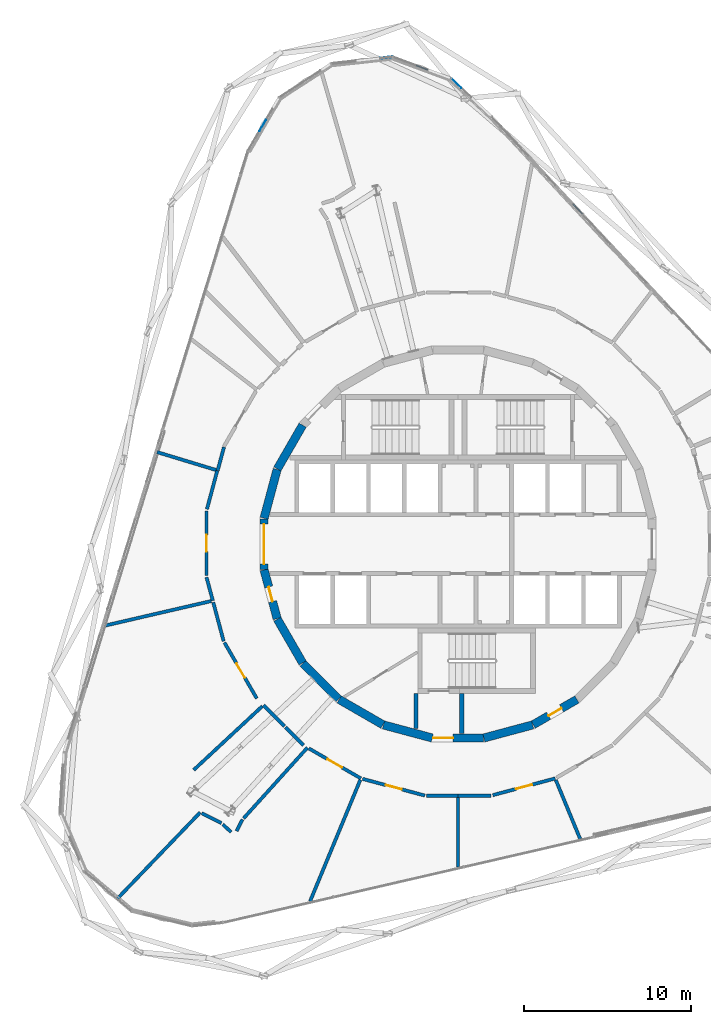
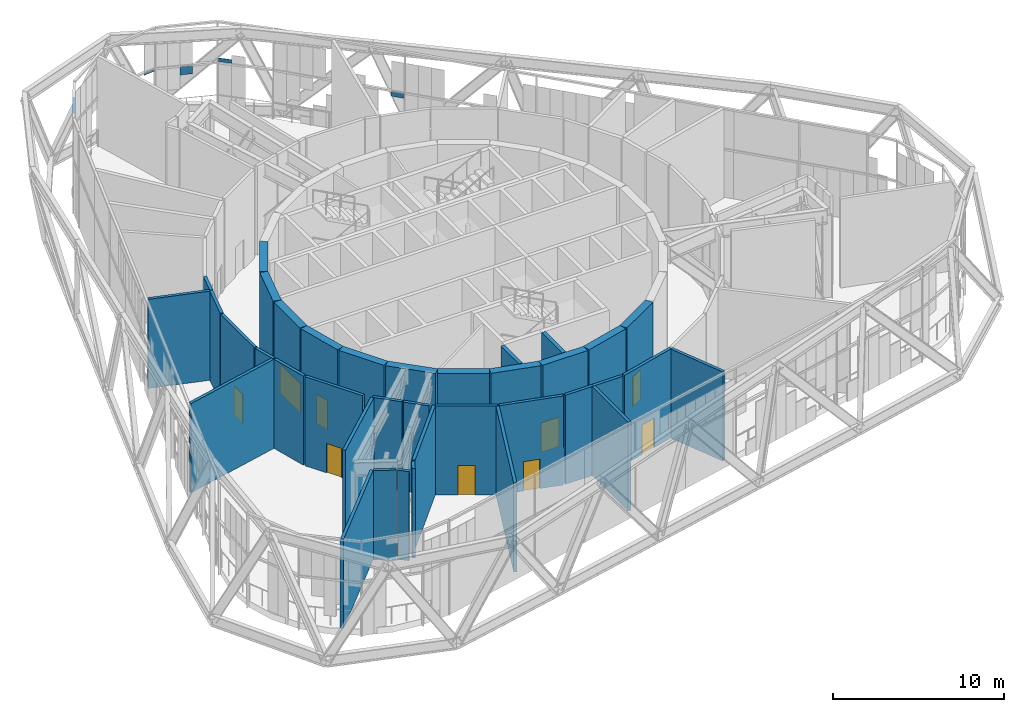
# One storey, part 19 of 25: 37 walls, 9 doors, 5 plates, 9 openings, 2 elements without a shape of their own.
"""IFC4 building model written with IfcOpenShell, lengths in metres."""

import ifcopenshell
import ifcopenshell.guid

model = None  # the IFC model being written
_history = None  # IfcOwnerHistory: only IFC2X3 demands one
_inside = {}  # id of a spatial element -> (the spatial element, [elements in it])
_under = {}  # id of a project, library or spatial element -> (it, [spatial elements below it])
_declared = {}  # id of a project -> (the project, [libraries it declares])
_typed = {}  # id of a type object -> (the type object, [elements of that type])
_made_of = {}  # id of a material, layer set ... -> (it, [elements and type objects made of it])


def new_model(schema):
    """Start an empty IFC model of exactly this schema.

    Asked for "IFC4X3", IfcOpenShell would pick the latest addendum, in which some entities
    have other attributes; the version numbers below select the first issue.
    IFC2X3 requires an IfcOwnerHistory on every rooted entity: one is made here for all.
    """
    global model, _history
    if schema == "IFC4X3":
        model = ifcopenshell.file(schema_version=(4, 3, 0, 0))
    else:
        model = ifcopenshell.file(schema=schema)
    _inside.clear()
    _under.clear()
    _declared.clear()
    _typed.clear()
    _made_of.clear()
    _history = None
    if model.schema == "IFC2X3":
        org = make("IfcOrganization", Name="unknown")
        user = make(
            "IfcPersonAndOrganization",
            ThePerson=make("IfcPerson", FamilyName="unknown"),
            TheOrganization=org,
        )
        app = make(
            "IfcApplication",
            ApplicationDeveloper=org,
            Version="unknown",
            ApplicationFullName="unknown",
            ApplicationIdentifier="unknown",
        )
        _history = make(
            "IfcOwnerHistory",
            OwningUser=user,
            OwningApplication=app,
            ChangeAction="ADDED",
            CreationDate=0,
        )
    return model


def make(cls, **values):
    """One entity of the class cls with the attributes given. An attribute that is None is left unset."""
    return model.create_entity(
        cls, **{name: value for name, value in values.items() if value is not None}
    )


def rooted(cls, **values):
    """An entity with a GlobalId (a new one), such as an element, a storey or a relation."""
    return make(cls, GlobalId=ifcopenshell.guid.new(), OwnerHistory=_history, **values)


def si_unit(unit_type, name, prefix=None):
    """IfcSIUnit, for example si_unit("LENGTHUNIT", "METRE", prefix="MILLI")."""
    return make("IfcSIUnit", UnitType=unit_type, Prefix=prefix, Name=name)


def assignment(units):
    """IfcUnitAssignment: the units of a project."""
    return None if units is None else make("IfcUnitAssignment", Units=units)


def point(xyz):
    """IfcCartesianPoint."""
    return None if xyz is None else make("IfcCartesianPoint", Coordinates=xyz)


def direction(xyz):
    """IfcDirection."""
    return None if xyz is None else make("IfcDirection", DirectionRatios=xyz)


def frame(location, z_axis=None, x_axis=None):
    """IfcAxis2Placement3D, a coordinate frame: its origin and axes. An axis left out is left unset."""
    return make(
        "IfcAxis2Placement3D",
        Location=point(location),
        Axis=direction(z_axis),
        RefDirection=direction(x_axis),
    )


def frame_2d(location, x_axis=None):
    """IfcAxis2Placement2D, a coordinate frame in the plane: its origin and x axis."""
    return make(
        "IfcAxis2Placement2D", Location=point(location), RefDirection=direction(x_axis)
    )


def origin():
    """The frame at (0, 0, 0) with its axes left unset."""
    return frame((0.0, 0.0, 0.0))


def origin_2d():
    """The frame at (0, 0) in the plane with its x axis left unset."""
    return frame_2d((0.0, 0.0))


def place(relative_to, where):
    """IfcLocalPlacement: puts the frame where relative to a parent placement (None: the world)."""
    return make(
        "IfcLocalPlacement", PlacementRelTo=relative_to, RelativePlacement=where
    )


def context(
    kind, dimensions, precision=None, world=None, true_north=None, identifier=None
):
    """IfcGeometricRepresentationContext, for example the 3D "Model" context."""
    return make(
        "IfcGeometricRepresentationContext",
        ContextIdentifier=identifier,
        ContextType=kind,
        CoordinateSpaceDimension=dimensions,
        Precision=precision,
        WorldCoordinateSystem=world,
        TrueNorth=true_north,
    )


def subcontext(parent, identifier, kind, view, scale=None):
    """IfcGeometricRepresentationSubContext, for example "Body" below "Model"."""
    return make(
        "IfcGeometricRepresentationSubContext",
        ContextIdentifier=identifier,
        ContextType=kind,
        ParentContext=parent,
        TargetScale=scale,
        TargetView=view,
    )


def project(units=None, contexts=None):
    """IfcProject with its units and contexts."""
    return rooted(
        "IfcProject",
        Name="project",
        RepresentationContexts=contexts,
        UnitsInContext=assignment(units),
    )


def spatial(cls, under=None, at=None, **own):
    """A site, building, storey or space (cls), placed at a placement, below another one or the project."""
    s = rooted(cls, ObjectPlacement=at, **own)
    if under is not None:
        _under.setdefault(under.id(), (under, []))[1].append(s)
    return s


def profile(cls, at=None, kind="AREA", **sizes):
    """A parametric profile (cls). Its sizes go by their IFC names, for example OverallWidth=200.0."""
    return make(cls, ProfileType=kind, Position=at, **sizes)


def rectangle(**sizes):
    """IfcRectangleProfileDef."""
    return profile("IfcRectangleProfileDef", **sizes)


def extrude(swept, where, along, depth):
    """IfcExtrudedAreaSolid: the profile swept, set in the frame where, extruded along a direction by depth."""
    return make(
        "IfcExtrudedAreaSolid",
        SweptArea=swept,
        Position=where,
        ExtrudedDirection=direction(along),
        Depth=depth,
    )


def shape(context_of_items, identifier, shape_type, items):
    """IfcShapeRepresentation: the items that make up one representation, for example the "Body"."""
    return make(
        "IfcShapeRepresentation",
        ContextOfItems=context_of_items,
        RepresentationIdentifier=identifier,
        RepresentationType=shape_type,
        Items=items,
    )


def material(Name=None, Category=None):
    """IfcMaterial."""
    return make("IfcMaterial", Name=Name, Category=Category)


def layer(
    of_material, thickness, ventilated=None, Name=None, Category=None, Priority=None
):
    """IfcMaterialLayer: one layer of a wall or slab, of a material (None: an air gap)."""
    return make(
        "IfcMaterialLayer",
        Material=of_material,
        LayerThickness=thickness,
        IsVentilated=ventilated,
        Name=Name,
        Category=Category,
        Priority=Priority,
    )


def layer_set(layers, Name=None):
    """IfcMaterialLayerSet."""
    return make("IfcMaterialLayerSet", MaterialLayers=layers, LayerSetName=Name)


def made_of(thing, what):
    """Note that an element or type object is made of a material, layer set ...; save() writes the relation."""
    if what is not None:
        _made_of.setdefault(what.id(), (what, []))[1].append(thing)
    return thing


def type_object(cls, material=None, **own):
    """A type object (cls), such as IfcWallType, which elements share."""
    return made_of(rooted(cls, **own), material)


def element(
    cls,
    number,
    at=None,
    inside=None,
    cuts=None,
    type_object=None,
    material=None,
    context=None,
    identifier="Body",
    shape_type=None,
    held_by="IfcProductDefinitionShape",
    body=None,
    shapes=None,
    **own,
):
    """One element of the class cls, such as IfcWall. Its Tag is "e" and its number.

    at: its placement. inside: the storey or other place that contains it. cuts: it is an
    opening in that element (IfcRelVoidsElement). A single representation is given by context,
    identifier, shape_type and body (its items); several are given by shapes. held_by: the class
    of the entity that holds the representations. save() writes the other relations.
    """
    e = rooted(cls, Tag="e%d" % number, ObjectPlacement=at, **own)
    if body is not None:
        shapes = [shape(context, identifier, shape_type, body)]
    if shapes is not None:
        e.Representation = make(held_by, Representations=shapes)
    if inside is not None:
        _inside.setdefault(inside.id(), (inside, []))[1].append(e)
    if cuts is not None:
        rooted(
            "IfcRelVoidsElement", RelatingBuildingElement=cuts, RelatedOpeningElement=e
        )
    if type_object is not None:
        _typed.setdefault(type_object.id(), (type_object, []))[1].append(e)
    return made_of(e, material)


def fill(opening, filler):
    """IfcRelFillsElement: the door or window that sits in an opening."""
    return rooted(
        "IfcRelFillsElement",
        RelatingOpeningElement=opening,
        RelatedBuildingElement=filler,
    )


def aggregate(whole, parts):
    """IfcRelAggregates: a whole, such as a stair, and the parts it consists of."""
    return rooted("IfcRelAggregates", RelatingObject=whole, RelatedObjects=parts)


def save(model, path):
    """Write the relations noted so far, then the file.

    IfcRelAggregates (storeys below a building ...), IfcRelContainedInSpatialStructure (elements
    in a storey), IfcRelDefinesByType, IfcRelAssociatesMaterial and IfcRelDeclares: one each for
    every whole, place, type object, material and project.
    """
    for whole, parts in _under.values():
        aggregate(whole, parts)
    for where, things in _inside.values():
        rooted(
            "IfcRelContainedInSpatialStructure",
            RelatedElements=things,
            RelatingStructure=where,
        )
    for kind, things in _typed.values():
        rooted("IfcRelDefinesByType", RelatedObjects=things, RelatingType=kind)
    for what, things in _made_of.values():
        rooted("IfcRelAssociatesMaterial", RelatedObjects=things, RelatingMaterial=what)
    for by, libraries in _declared.values():
        rooted("IfcRelDeclares", RelatingContext=by, RelatedDefinitions=libraries)
    model.write(path)


model = new_model("IFC4")

# Units and contexts
model_context = context("Model", 3, precision=1e-05, world=origin(), true_north=direction((0.0, 1.0)))
body_context = subcontext(model_context, "Body", "Model", "MODEL_VIEW")
ifc_project = project(units=[si_unit("LENGTHUNIT", "METRE"), si_unit("AREAUNIT", "SQUARE_METRE"), si_unit("VOLUMEUNIT", "CUBIC_METRE"), si_unit("PLANEANGLEUNIT", "RADIAN"), si_unit("MASSUNIT", "GRAM", prefix="KILO")], contexts=[model_context])

# Site, building, storey
site_placement = place(None, origin())
site = spatial("IfcSite", under=ifc_project, at=site_placement, CompositionType="ELEMENT")
building_placement = place(site_placement, origin())
building = spatial("IfcBuilding", under=site, at=building_placement, Name="Spindle Arch Residences", CompositionType="ELEMENT")
storey_placement = place(building_placement, frame((0.0, 0.0, 144.89990234375)))
storey = spatial("IfcBuildingStorey", under=building, at=storey_placement, Name="L36", CompositionType="ELEMENT", Elevation=144.89990234375)

# Curtain wall, plates
ifc_material_1 = material(Name="Aluminium bronze unitised frame with tinted glass", Category="aluminium")
ifc_layer_1 = layer(ifc_material_1, 0.159912109375)
ifc_layer_set_1 = layer_set([ifc_layer_1], Name="CW-E double-height winter garden wall")
curtain_wall_type = type_object("IfcCurtainWallType", Name="CW-E double-height winter garden wall", PredefinedType="NOTDEFINED", material=ifc_layer_set_1)
curtain_wall_1_placement = place(storey_placement, origin())
curtain_wall_1 = element("IfcCurtainWall", 1, at=curtain_wall_1_placement, inside=storey, type_object=curtain_wall_type, Name="CW-E L36 run 3", PredefinedType="NOTDEFINED")
ifc_material_2 = material(Name="Tinted laminated glass 28 mm", Category="glass")
ifc_layer_2 = layer(ifc_material_2, 0.028076171875)
ifc_layer_set_2 = layer_set([ifc_layer_2], Name="Tinted glass panel 28 mm")
plate_type_1 = type_object("IfcPlateType", Name="Tinted glass panel 28 mm", PredefinedType="CURTAIN_PANEL", material=ifc_layer_set_2)
plate_1_placement = place(storey_placement, frame((-0.100341796875, 27.64697265625, 3.4599609375), z_axis=(0.0, 0.0, 1.0), x_axis=(-0.728270412102, 0.685289870681, 0.0)))
plate_1 = element("IfcPlate", 2, at=plate_1_placement, type_object=plate_type_1, Name="CW-E panel 00b.2", PredefinedType="CURTAIN_PANEL", context=body_context, shape_type="SweptSolid", body=[
    extrude(rectangle(XDim=0.8193359375, YDim=0.028076171875, at=origin_2d()), origin(), (0.0, 0.0, 1.0), 0.246337890625),
])
plate_2_placement = place(storey_placement, frame((-11.73193359375, 25.115234375, 5.736328125), z_axis=(0.0, 0.0, 1.0), x_axis=(-0.505029844161, -0.863101880723, 0.0)))
plate_2 = element("IfcPlate", 3, at=plate_2_placement, type_object=plate_type_1, Name="CW-E panel 04b.2", PredefinedType="CURTAIN_PANEL", context=body_context, shape_type="SweptSolid", body=[
    extrude(rectangle(XDim=0.77001953125, YDim=0.028076171875, at=origin_2d()), origin(), (0.0, 0.0, 1.0), 0.493896484375),
])

# Curtain wall, plate
curtain_wall_2_placement = place(storey_placement, origin())
curtain_wall_2 = element("IfcCurtainWall", 4, at=curtain_wall_2_placement, inside=storey, type_object=curtain_wall_type, Name="CW-E L36 run 2", PredefinedType="NOTDEFINED")
ifc_material_3 = material(Name="Tinted double glazing over aluminium faced non-combustible spandrel zone (K0)", Category="aluminium")
ifc_layer_3 = layer(ifc_material_3, 0.06005859375)
ifc_layer_set_3 = layer_set([ifc_layer_3], Name="Unitised glass panel with E 60 spandrel zone")
plate_type_2 = type_object("IfcPlateType", Name="Unitised glass panel with E 60 spandrel zone", PredefinedType="CURTAIN_PANEL", material=ifc_layer_set_3)
plate_3_placement = place(storey_placement, frame((7.193603515625, 20.102294921875, 3.009765625), z_axis=(0.0, 0.0, 1.0), x_axis=(-0.681998360062, 0.731353701619, 0.0)))
plate_3 = element("IfcPlate", 5, at=plate_3_placement, type_object=plate_type_2, Name="CW-E panel 08Aa.1", PredefinedType="CURTAIN_PANEL", context=body_context, shape_type="SweptSolid", body=[
    extrude(rectangle(XDim=0.796875, YDim=0.06005859375, at=origin_2d()), origin(), (0.0, 0.0, 1.0), 0.330322265625),
])
aggregate(curtain_wall_2, [plate_3])

# Plate
plate_4_placement = place(storey_placement, frame((-2.16796875, 28.595703125, 2.76904296875), z_axis=(0.0, 0.0, 1.0), x_axis=(-0.937686936403, 0.347481235896, 0.0)))
plate_4 = element("IfcPlate", 6, at=plate_4_placement, type_object=plate_type_2, Name="CW-E panel 01a.1", PredefinedType="CURTAIN_PANEL", context=body_context, shape_type="SweptSolid", body=[
    extrude(rectangle(XDim=0.7333984375, YDim=0.06005859375, at=origin_2d()), origin(), (0.0, 0.0, 1.0), 0.571044921875),
])

plate_5_placement = place(storey_placement, frame((-4.309326171875, 29.199462890625, 3.22705078125), z_axis=(0.0, 0.0, 1.0), x_axis=(-0.993896946294, -0.110312556619, 0.0)))
plate_5 = element("IfcPlate", 7, at=plate_5_placement, type_object=plate_type_2, Name="CW-E panel 02a.1", PredefinedType="CURTAIN_PANEL", context=body_context, shape_type="SweptSolid", body=[
    extrude(rectangle(XDim=0.7333984375, YDim=0.06005859375, at=origin_2d()), origin(), (0.0, 0.0, 1.0), 0.113037109375),
])

aggregate(curtain_wall_1, [plate_1, plate_4, plate_5, plate_2])

# Wall
ifc_material_4 = material(Name="Concrete C50/60", Category="concrete")
ifc_layer_4 = layer(ifc_material_4, 0.5)
ifc_layer_set_4 = layer_set([ifc_layer_4], Name="Core outline wall 500")
wall_type_1 = type_object("IfcWallType", Name="Core outline wall 500", PredefinedType="SHEAR", material=ifc_layer_set_4)
wall_1_placement = place(storey_placement, frame((1.5498046875, -11.642822265625, 0.0), z_axis=(0.0, 0.0, 1.0), x_axis=(0.965948410781, 0.258734743916, 0.0)))
element("IfcWall", 8, at=wall_1_placement, inside=storey, type_object=wall_type_1, Name="Core outline wall 1", PredefinedType="SHEAR", context=body_context, shape_type="SweptSolid", body=[
    extrude(rectangle(XDim=3.03271484375, YDim=0.5, at=frame_2d((1.516357421875, 0.0))), origin(), (0.0, 0.0, 1.0), 6.35009765625),
])

# Wall, opening, door
wall_2_placement = place(storey_placement, frame((4.510498046875, -10.84521484375, 0.0), z_axis=(0.0, 0.0, 1.0), x_axis=(0.865975092491, 0.500087131594, 0.0)))
wall_2 = element("IfcWall", 9, at=wall_2_placement, inside=storey, type_object=wall_type_1, Name="Core outline wall 2", PredefinedType="SHEAR", context=body_context, shape_type="SweptSolid", body=[
    extrude(rectangle(XDim=3.03271484375, YDim=0.5, at=frame_2d((1.516357421875, 0.0))), origin(), (0.0, 0.0, 1.0), 6.35009765625),
])
opening_1_placement = place(wall_2_placement, frame((1.06640625, 0.0, 0.0)))
opening_1 = element("IfcOpeningElement", 10, at=opening_1_placement, cuts=wall_2, Name="Opening L36-WD10", PredefinedType="OPENING", context=body_context, shape_type="SweptSolid", body=[
    extrude(rectangle(XDim=0.89990234375, YDim=2.10009765625, at=frame_2d((0.449951171875, 1.050048828125))), frame((0.0, 0.260009765625, 0.0), z_axis=(0.0, -1.0, 0.0), x_axis=(1.0, 0.0, 0.0)), (0.0, 0.0, 1.0), 0.52001953125),
])
ifc_material_5 = material(Name="Steel, fire-resisting door", Category="steel")
door_type_1 = type_object("IfcDoorType", Name="Service room door 900x2100", OperationType="SINGLE_SWING_LEFT", PredefinedType="DOOR", material=ifc_material_5)
door_1_placement = place(opening_1_placement, origin())
door_1 = element("IfcDoor", 11, at=door_1_placement, inside=storey, type_object=door_type_1, Name="Service room door L36-WD10", OperationType="SINGLE_SWING_LEFT", OverallHeight=2.10009765625, OverallWidth=0.89990234375, PredefinedType="DOOR", context=body_context, shape_type="SweptSolid", body=[
    extrude(rectangle(XDim=0.89990234375, YDim=2.10009765625, at=frame_2d((0.449951171875, 1.050048828125))), frame((0.0, 0.02490234375, 0.0), z_axis=(0.0, -1.0, 0.0), x_axis=(1.0, 0.0, 0.0)), (0.0, 0.0, 1.0), 0.050048828125),
])
fill(opening_1, door_1)

# Walls
for number, where, z_axis, x_axis, name in (
    (12, (-9.32861328125, 7.13671875, 0.0), (0.0, 0.0, 1.0), (-0.500087131594, -0.865975092491, 0.0), "Core outline wall 16"),
    (13, (-10.858154296875, 4.479248046875, 0.0), (0.0, 0.0, 1.0), (-0.258734743916, -0.965948410781, 0.0), "Core outline wall 17"),
):
    element("IfcWall", number, at=place(storey_placement, frame(where, z_axis=z_axis, x_axis=x_axis)), inside=storey, type_object=wall_type_1, Name=name, PredefinedType="SHEAR", context=body_context, shape_type="SweptSolid", body=[
        extrude(rectangle(XDim=3.03271484375, YDim=0.5, at=frame_2d((1.516357421875, 0.0))), origin(), (0.0, 0.0, 1.0), 6.35009765625),
    ])

# Wall, opening, door
wall_3_placement = place(storey_placement, frame((-11.647216796875, 1.516357421875, 0.0), z_axis=(0.0, 0.0, 1.0), x_axis=(0.0, -1.0, 0.0)))
wall_3 = element("IfcWall", 14, at=wall_3_placement, inside=storey, type_object=wall_type_1, Name="Core outline wall 18", PredefinedType="SHEAR", context=body_context, shape_type="SweptSolid", body=[
    extrude(rectangle(XDim=3.03271484375, YDim=0.5, at=frame_2d((1.516357421875, 0.0))), origin(), (0.0, 0.0, 1.0), 6.35009765625),
])
opening_2_placement = place(wall_3_placement, frame((0.31640625, 0.0, 0.0)))
opening_2 = element("IfcOpeningElement", 15, at=opening_2_placement, cuts=wall_3, Name="Opening L36-LE01", PredefinedType="OPENING", context=body_context, shape_type="SweptSolid", body=[
    extrude(rectangle(XDim=2.39990234375, YDim=2.10009765625, at=frame_2d((1.199951171875, 1.050048828125))), frame((0.0, 0.260009765625, 0.0), z_axis=(0.0, -1.0, 0.0), x_axis=(1.0, 0.0, 0.0)), (0.0, 0.0, 1.0), 0.52001953125),
])
ifc_material_6 = material(Name="Steel, fire-resisting door", Category="steel")
door_type_2 = type_object("IfcDoorType", Name="Lift lobby entrance door 2400x2100", OperationType="DOUBLE_DOOR_SINGLE_SWING", PredefinedType="DOOR", material=ifc_material_6)
door_2_placement = place(opening_2_placement, origin())
door_2 = element("IfcDoor", 16, at=door_2_placement, inside=storey, type_object=door_type_2, Name="Lift lobby entrance door L36-LE01", OperationType="DOUBLE_DOOR_SINGLE_SWING", OverallHeight=2.10009765625, OverallWidth=2.39990234375, PredefinedType="DOOR", context=body_context, shape_type="SweptSolid", body=[
    extrude(rectangle(XDim=2.39990234375, YDim=2.10009765625, at=frame_2d((1.199951171875, 1.050048828125))), frame((0.0, 0.02490234375, 0.0), z_axis=(0.0, -1.0, 0.0), x_axis=(1.0, 0.0, 0.0)), (0.0, 0.0, 1.0), 0.050048828125),
])
fill(opening_2, door_2)

wall_4_placement = place(storey_placement, frame((-11.642822265625, -1.5498046875, 0.0), z_axis=(0.0, 0.0, 1.0), x_axis=(0.258734743916, -0.965948410781, 0.0)))
wall_4 = element("IfcWall", 17, at=wall_4_placement, inside=storey, type_object=wall_type_1, Name="Core outline wall 19", PredefinedType="SHEAR", context=body_context, shape_type="SweptSolid", body=[
    extrude(rectangle(XDim=3.03271484375, YDim=0.5, at=frame_2d((1.516357421875, 0.0))), origin(), (0.0, 0.0, 1.0), 6.35009765625),
])
opening_3_placement = place(wall_4_placement, frame((1.06640625, 0.0, 0.0)))
opening_3 = element("IfcOpeningElement", 18, at=opening_3_placement, cuts=wall_4, Name="Opening L36-WD11", PredefinedType="OPENING", context=body_context, shape_type="SweptSolid", body=[
    extrude(rectangle(XDim=0.89990234375, YDim=2.10009765625, at=frame_2d((0.449951171875, 1.050048828125))), frame((0.0, 0.260009765625, 0.0), z_axis=(0.0, -1.0, 0.0), x_axis=(1.0, 0.0, 0.0)), (0.0, 0.0, 1.0), 0.52001953125),
])
door_3_placement = place(opening_3_placement, origin())
door_3 = element("IfcDoor", 19, at=door_3_placement, inside=storey, type_object=door_type_1, Name="Service room door L36-WD11", OperationType="SINGLE_SWING_RIGHT", OverallHeight=2.10009765625, OverallWidth=0.89990234375, PredefinedType="DOOR", context=body_context, shape_type="SweptSolid", body=[
    extrude(rectangle(XDim=0.89990234375, YDim=2.10009765625, at=frame_2d((0.449951171875, 1.050048828125))), frame((0.0, 0.02490234375, 0.0), z_axis=(0.0, -1.0, 0.0), x_axis=(1.0, 0.0, 0.0)), (0.0, 0.0, 1.0), 0.050048828125),
])
fill(opening_3, door_3)

# Walls
wall_5_placement = place(storey_placement, frame((-10.84521484375, -4.510498046875, 0.0), z_axis=(0.0, 0.0, 1.0), x_axis=(0.500087131594, -0.865975092491, 0.0)))
element("IfcWall", 20, at=wall_5_placement, inside=storey, type_object=wall_type_1, Name="Core outline wall 20", PredefinedType="SHEAR", context=body_context, shape_type="SweptSolid", body=[
    extrude(rectangle(XDim=3.03271484375, YDim=0.5, at=frame_2d((1.516357421875, 0.0))), origin(), (0.0, 0.0, 1.0), 6.35009765625),
])
wall_6_placement = place(storey_placement, frame((-9.30810546875, -7.163818359375, 0.0), z_axis=(0.0, 0.0, 1.0), x_axis=(0.707106781187, -0.707106781187, 0.0)))
element("IfcWall", 21, at=wall_6_placement, inside=storey, type_object=wall_type_1, Name="Core outline wall 21", PredefinedType="SHEAR", context=body_context, shape_type="SweptSolid", body=[
    extrude(rectangle(XDim=3.032470703125, YDim=0.5, at=frame_2d((1.51611328125, 0.0))), origin(), (0.0, 0.0, 1.0), 6.35009765625),
])
for number, where, z_axis, x_axis, name in (
    (22, (-7.13671875, -9.32861328125, 0.0), (0.0, 0.0, 1.0), (0.865975092491, -0.500087131594, 0.0), "Core outline wall 22"),
    (23, (-4.479248046875, -10.858154296875, 0.0), (0.0, 0.0, 1.0), (0.965948410781, -0.258734743916, 0.0), "Core outline wall 23"),
):
    element("IfcWall", number, at=place(storey_placement, frame(where, z_axis=z_axis, x_axis=x_axis)), inside=storey, type_object=wall_type_1, Name=name, PredefinedType="SHEAR", context=body_context, shape_type="SweptSolid", body=[
        extrude(rectangle(XDim=3.03271484375, YDim=0.5, at=frame_2d((1.516357421875, 0.0))), origin(), (0.0, 0.0, 1.0), 6.35009765625),
    ])

# Wall, opening, door
wall_7_placement = place(storey_placement, frame((-1.516357421875, -11.647216796875, 0.0), z_axis=(0.0, 0.0, 1.0), x_axis=(1.0, 0.0, 0.0)))
wall_7 = element("IfcWall", 24, at=wall_7_placement, inside=storey, type_object=wall_type_1, Name="Core outline wall 24", PredefinedType="SHEAR", context=body_context, shape_type="SweptSolid", body=[
    extrude(rectangle(XDim=3.03271484375, YDim=0.5, at=frame_2d((1.516357421875, 0.0))), origin(), (0.0, 0.0, 1.0), 6.35009765625),
])
opening_4_placement = place(wall_7_placement, frame((0.016357421875, 0.0, 0.0)))
opening_4 = element("IfcOpeningElement", 25, at=opening_4_placement, cuts=wall_7, Name="Opening L36-AD03", PredefinedType="OPENING", context=body_context, shape_type="SweptSolid", body=[
    extrude(rectangle(XDim=1.199951171875, YDim=2.10009765625, at=frame_2d((0.60009765625, 1.050048828125))), frame((0.0, 0.260009765625, 0.0), z_axis=(0.0, -1.0, 0.0), x_axis=(1.0, 0.0, 0.0)), (0.0, 0.0, 1.0), 0.52001953125),
])
ifc_material_7 = material(Name="Steel, fire-resisting door", Category="steel")
door_type_3 = type_object("IfcDoorType", Name="Stair airlock door 1200x2100", OperationType="SINGLE_SWING_LEFT", PredefinedType="DOOR", material=ifc_material_7)
door_4_placement = place(opening_4_placement, origin())
door_4 = element("IfcDoor", 26, at=door_4_placement, inside=storey, type_object=door_type_3, Name="Stair airlock door L36-AD03", OperationType="SINGLE_SWING_RIGHT", OverallHeight=2.10009765625, OverallWidth=1.199951171875, PredefinedType="DOOR", context=body_context, shape_type="SweptSolid", body=[
    extrude(rectangle(XDim=1.199951171875, YDim=2.10009765625, at=frame_2d((0.60009765625, 1.050048828125))), frame((0.0, 0.02490234375, 0.0), z_axis=(0.0, -1.0, 0.0), x_axis=(1.0, 0.0, 0.0)), (0.0, 0.0, 1.0), 0.050048828125),
])
fill(opening_4, door_4)

# Walls
ifc_material_8 = material(Name="Gypsum board partition on steel studs", Category="steel")
ifc_layer_5 = layer(ifc_material_8, 0.199951171875)
ifc_layer_set_5 = layer_set([ifc_layer_5], Name="Partition EI 60 200 amenity")
wall_type_2 = type_object("IfcWallType", Name="Partition EI 60 200 amenity", PredefinedType="PARTITIONING", material=ifc_layer_set_5)
wall_8_placement = place(storey_placement, frame((-18.070068359375, 5.52001953125, 0.0), z_axis=(0.0, 0.0, 1.0), x_axis=(0.956797265316, -0.290755899482, 0.0)))
element("IfcWall", 27, at=wall_8_placement, inside=storey, type_object=wall_type_2, Name="L36-W001", PredefinedType="PARTITIONING", context=body_context, shape_type="SweptSolid", body=[
    extrude(rectangle(XDim=3.78369140625, YDim=0.199951171875, at=frame_2d((1.891845703125, 0.0))), origin(), (0.0, 0.0, 1.0), 6.35009765625),
])
wall_9_placement = place(storey_placement, frame((-15.4755859375, -16.10595703125, 0.0), z_axis=(0.0, 0.0, 1.0), x_axis=(-0.6925353236, -0.72138396542, 0.0)))
element("IfcWall", 28, at=wall_9_placement, inside=storey, type_object=wall_type_2, Name="L36-W002", PredefinedType="PARTITIONING", context=body_context, shape_type="SweptSolid", body=[
    extrude(rectangle(XDim=7.26953125, YDim=0.199951171875, at=frame_2d((3.634765625, 0.0))), origin(), (0.0, 0.0, 1.0), 6.35009765625),
])
wall_10_placement = place(storey_placement, frame((-15.10009765625, -1.989990234375, 0.0), z_axis=(0.0, 0.0, 1.0), x_axis=(0.260315217094, -0.965523685753, 0.0)))
element("IfcWall", 29, at=wall_10_placement, inside=storey, type_object=wall_type_2, Name="L36-W003", PredefinedType="PARTITIONING", context=body_context, shape_type="SweptSolid", body=[
    extrude(rectangle(XDim=1.460205078125, YDim=0.199951171875, at=frame_2d((0.72998046875, 0.0))), origin(), (0.0, 0.0, 1.0), 6.35009765625),
])

# Wall, opening, door
wall_11_placement = place(storey_placement, frame((-15.10009765625, 1.989990234375, 0.0), z_axis=(0.0, 0.0, 1.0), x_axis=(0.0, -1.0, 0.0)))
wall_11 = element("IfcWall", 30, at=wall_11_placement, inside=storey, type_object=wall_type_2, Name="L36-W004", PredefinedType="PARTITIONING", context=body_context, shape_type="SweptSolid", body=[
    extrude(rectangle(XDim=3.8798828125, YDim=0.199951171875, at=frame_2d((1.93994140625, 0.0))), origin(), (0.0, 0.0, 1.0), 6.35009765625),
])
opening_5_placement = place(wall_11_placement, frame((1.43994140625, 0.0, 0.0)))
opening_5 = element("IfcOpeningElement", 31, at=opening_5_placement, cuts=wall_11, Name="Opening L36-D08", PredefinedType="OPENING", context=body_context, shape_type="SweptSolid", body=[
    extrude(rectangle(XDim=1.0, YDim=2.10009765625, at=frame_2d((0.5, 1.050048828125))), frame((0.0, 0.10986328125, 0.0), z_axis=(0.0, -1.0, 0.0), x_axis=(1.0, 0.0, 0.0)), (0.0, 0.0, 1.0), 0.219970703125),
])
ifc_material_9 = material(Name="Timber door leaf", Category="wood")
door_type_4 = type_object("IfcDoorType", Name="Door 1000x2100 EI 30", OperationType="SINGLE_SWING_LEFT", PredefinedType="DOOR", material=ifc_material_9)
door_5_placement = place(opening_5_placement, origin())
door_5 = element("IfcDoor", 32, at=door_5_placement, inside=storey, type_object=door_type_4, Name="L36-D08", OperationType="SINGLE_SWING_LEFT", OverallHeight=2.10009765625, OverallWidth=1.0, PredefinedType="DOOR", context=body_context, shape_type="SweptSolid", body=[
    extrude(rectangle(XDim=1.0, YDim=2.10009765625, at=frame_2d((0.5, 1.050048828125))), frame((0.0, 0.02490234375, 0.0), z_axis=(0.0, -1.0, 0.0), x_axis=(1.0, 0.0, 0.0)), (0.0, 0.0, 1.0), 0.050048828125),
])
fill(opening_5, door_5)

# Walls
wall_12_placement = place(storey_placement, frame((-14.8173828125, -3.422607421875, 0.0), z_axis=(0.0, 0.0, 1.0), x_axis=(-0.974296379066, -0.225269984108, 0.0)))
element("IfcWall", 33, at=wall_12_placement, inside=storey, type_object=wall_type_2, Name="L36-W005", PredefinedType="PARTITIONING", context=body_context, shape_type="SweptSolid", body=[
    extrude(rectangle(XDim=6.602294921875, YDim=0.199951171875, at=frame_2d((3.30126953125, 0.0))), origin(), (0.0, 0.0, 1.0), 6.35009765625),
])
wall_13_placement = place(storey_placement, frame((-14.694091796875, -3.49658203125, 0.0), z_axis=(0.0, 0.0, 1.0), x_axis=(0.258341997177, -0.966053524653, 0.0)))
element("IfcWall", 34, at=wall_13_placement, inside=storey, type_object=wall_type_2, Name="L36-W006", PredefinedType="PARTITIONING", context=body_context, shape_type="SweptSolid", body=[
    extrude(rectangle(XDim=2.41552734375, YDim=0.199951171875, at=frame_2d((1.207763671875, 0.0))), origin(), (0.0, 0.0, 1.0), 6.35009765625),
])
wall_14_placement = place(storey_placement, frame((-14.454833984375, 4.401611328125, 0.0), z_axis=(0.0, 0.0, 1.0), x_axis=(-0.258467872824, -0.966019854205, 0.0)))
element("IfcWall", 35, at=wall_14_placement, inside=storey, type_object=wall_type_2, Name="L36-W007", PredefinedType="PARTITIONING", context=body_context, shape_type="SweptSolid", body=[
    extrude(rectangle(XDim=2.396484375, YDim=0.199951171875, at=frame_2d((1.1982421875, 0.0))), origin(), (0.0, 0.0, 1.0), 6.35009765625),
])
wall_15_placement = place(storey_placement, frame((-14.199951171875, -16.760009765625, 0.0), z_axis=(0.0, 0.0, 1.0), x_axis=(-0.88987844473, 0.456197713283, 0.0)))
element("IfcWall", 36, at=wall_15_placement, inside=storey, type_object=wall_type_2, Name="L36-W008", PredefinedType="PARTITIONING", context=body_context, shape_type="SweptSolid", body=[
    extrude(rectangle(XDim=1.333740234375, YDim=0.199951171875, at=frame_2d((0.6669921875, 0.0))), origin(), (0.0, 0.0, 1.0), 6.35009765625),
])
wall_16_placement = place(storey_placement, frame((-14.126220703125, -16.827392578125, 0.0), z_axis=(0.0, 0.0, 1.0), x_axis=(0.73808453576, -0.674708246631, 0.0)))
element("IfcWall", 37, at=wall_16_placement, inside=storey, type_object=wall_type_2, Name="L36-W009", PredefinedType="PARTITIONING", context=body_context, shape_type="SweptSolid", body=[
    extrude(rectangle(XDim=0.685791015625, YDim=0.199951171875, at=frame_2d((0.3427734375, 0.0))), origin(), (0.0, 0.0, 1.0), 6.35009765625),
])

# Wall, opening, door
wall_17_placement = place(storey_placement, frame((-14.02001953125, -5.91650390625, 0.0), z_axis=(0.0, 0.0, 1.0), x_axis=(0.500733182901, -0.865601686425, 0.0)))
wall_17 = element("IfcWall", 38, at=wall_17_placement, inside=storey, type_object=wall_type_2, Name="L36-W010", PredefinedType="PARTITIONING", context=body_context, shape_type="SweptSolid", body=[
    extrude(rectangle(XDim=3.874267578125, YDim=0.199951171875, at=frame_2d((1.93701171875, 0.0))), origin(), (0.0, 0.0, 1.0), 6.35009765625),
])
opening_6_placement = place(wall_17_placement, frame((1.43701171875, 0.0, 0.0)))
opening_6 = element("IfcOpeningElement", 39, at=opening_6_placement, cuts=wall_17, Name="Opening L36-D05", PredefinedType="OPENING", context=body_context, shape_type="SweptSolid", body=[
    extrude(rectangle(XDim=1.0, YDim=2.10009765625, at=frame_2d((0.5, 1.050048828125))), frame((0.0, 0.10986328125, 0.0), z_axis=(0.0, -1.0, 0.0), x_axis=(1.0, 0.0, 0.0)), (0.0, 0.0, 1.0), 0.219970703125),
])
door_6_placement = place(opening_6_placement, origin())
door_6 = element("IfcDoor", 40, at=door_6_placement, inside=storey, type_object=door_type_4, Name="L36-D05", OperationType="SINGLE_SWING_LEFT", OverallHeight=2.10009765625, OverallWidth=1.0, PredefinedType="DOOR", context=body_context, shape_type="SweptSolid", body=[
    extrude(rectangle(XDim=1.0, YDim=2.10009765625, at=frame_2d((0.5, 1.050048828125))), frame((0.0, 0.02490234375, 0.0), z_axis=(0.0, -1.0, 0.0), x_axis=(1.0, 0.0, 0.0)), (0.0, 0.0, 1.0), 0.050048828125),
])
fill(opening_6, door_6)

# Walls
wall_18_placement = place(storey_placement, frame((-14.050048828125, 5.820068359375, 0.0), z_axis=(0.0, 0.0, 1.0), x_axis=(-0.260117352512, -0.965577010353, 0.0)))
element("IfcWall", 41, at=wall_18_placement, inside=storey, type_object=wall_type_2, Name="L36-W011", PredefinedType="PARTITIONING", context=body_context, shape_type="SweptSolid", body=[
    extrude(rectangle(XDim=1.46044921875, YDim=0.199951171875, at=frame_2d((0.730224609375, 0.0))), origin(), (0.0, 0.0, 1.0), 6.35009765625),
])
wall_19_placement = place(storey_placement, frame((-13.300048828125, -17.22998046875, 0.0), z_axis=(0.0, 0.0, 1.0), x_axis=(0.462705370769, 0.886512120538, 0.0)))
element("IfcWall", 42, at=wall_19_placement, inside=storey, type_object=wall_type_2, Name="L36-W012", PredefinedType="PARTITIONING", context=body_context, shape_type="SweptSolid", body=[
    extrude(rectangle(XDim=0.7783203125, YDim=0.199951171875, at=frame_2d((0.38916015625, 0.0))), origin(), (0.0, 0.0, 1.0), 6.35009765625),
])
wall_20_placement = place(storey_placement, frame((-12.873046875, -16.4658203125, 0.0), z_axis=(0.0, 0.0, 1.0), x_axis=(0.670098193638, 0.742272464048, 0.0)))
element("IfcWall", 43, at=wall_20_placement, inside=storey, type_object=wall_type_2, Name="L36-W013", PredefinedType="PARTITIONING", context=body_context, shape_type="SweptSolid", body=[
    extrude(rectangle(XDim=5.719970703125, YDim=0.199951171875, at=frame_2d((2.85986328125, 0.0))), origin(), (0.0, 0.0, 1.0), 6.35009765625),
])
wall_21_placement = place(storey_placement, frame((-11.753173828125, -9.738037109375, 0.0), z_axis=(0.0, 0.0, 1.0), x_axis=(-0.732435443259, -0.680836486579, 0.0)))
element("IfcWall", 44, at=wall_21_placement, inside=storey, type_object=wall_type_2, Name="L36-W016", PredefinedType="PARTITIONING", context=body_context, shape_type="SweptSolid", body=[
    extrude(rectangle(XDim=5.611572265625, YDim=0.199951171875, at=frame_2d((2.8056640625, 0.0))), origin(), (0.0, 0.0, 1.0), 6.35009765625),
])
wall_22_placement = place(storey_placement, frame((-11.679931640625, -9.669921875, 0.0), z_axis=(0.0, 0.0, 1.0), x_axis=(0.707106781187, -0.707106781187, 0.0)))
element("IfcWall", 45, at=wall_22_placement, inside=storey, type_object=wall_type_2, Name="L36-W017", PredefinedType="PARTITIONING", context=body_context, shape_type="SweptSolid", body=[
    extrude(rectangle(XDim=1.796142578125, YDim=0.199951171875, at=frame_2d((0.89794921875, 0.0))), origin(), (0.0, 0.0, 1.0), 6.35009765625),
])
wall_23_placement = place(storey_placement, frame((-10.360107421875, -10.989990234375, 0.0), z_axis=(0.0, 0.0, 1.0), x_axis=(0.707106781187, -0.707106781187, 0.0)))
element("IfcWall", 46, at=wall_23_placement, inside=storey, type_object=wall_type_2, Name="L36-W020", PredefinedType="PARTITIONING", context=body_context, shape_type="SweptSolid", body=[
    extrude(rectangle(XDim=1.54150390625, YDim=0.199951171875, at=frame_2d((0.770751953125, 0.0))), origin(), (0.0, 0.0, 1.0), 6.35009765625),
])

# Wall, opening, door
wall_24_placement = place(storey_placement, frame((-8.953369140625, -12.27001953125, 0.0), z_axis=(0.0, 0.0, 1.0), x_axis=(0.866407617873, -0.499337400655, 0.0)))
wall_24 = element("IfcWall", 47, at=wall_24_placement, inside=storey, type_object=wall_type_2, Name="L36-W023", PredefinedType="PARTITIONING", context=body_context, shape_type="SweptSolid", body=[
    extrude(rectangle(XDim=3.60498046875, YDim=0.199951171875, at=frame_2d((1.802490234375, 0.0))), origin(), (0.0, 0.0, 1.0), 6.35009765625),
])
opening_7_placement = place(wall_24_placement, frame((1.302490234375, 0.0, 0.0)))
opening_7 = element("IfcOpeningElement", 48, at=opening_7_placement, cuts=wall_24, Name="Opening L36-D01", PredefinedType="OPENING", context=body_context, shape_type="SweptSolid", body=[
    extrude(rectangle(XDim=1.0, YDim=2.10009765625, at=frame_2d((0.5, 1.050048828125))), frame((0.0, 0.10986328125, 0.0), z_axis=(0.0, -1.0, 0.0), x_axis=(1.0, 0.0, 0.0)), (0.0, 0.0, 1.0), 0.219970703125),
])
door_7_placement = place(opening_7_placement, origin())
door_7 = element("IfcDoor", 49, at=door_7_placement, inside=storey, type_object=door_type_4, Name="L36-D01", OperationType="SINGLE_SWING_LEFT", OverallHeight=2.10009765625, OverallWidth=1.0, PredefinedType="DOOR", context=body_context, shape_type="SweptSolid", body=[
    extrude(rectangle(XDim=1.0, YDim=2.10009765625, at=frame_2d((0.5, 1.050048828125))), frame((0.0, 0.02490234375, 0.0), z_axis=(0.0, -1.0, 0.0), x_axis=(1.0, 0.0, 0.0)), (0.0, 0.0, 1.0), 0.050048828125),
])
fill(opening_7, door_7)

# Wall
wall_25_placement = place(storey_placement, frame((-5.8681640625, -14.162353515625, 0.0), z_axis=(0.0, 0.0, 1.0), x_axis=(-0.382384646644, -0.924003237013, 0.0)))
element("IfcWall", 50, at=wall_25_placement, inside=storey, type_object=wall_type_2, Name="L36-W030", PredefinedType="PARTITIONING", context=body_context, shape_type="SweptSolid", body=[
    extrude(rectangle(XDim=7.876220703125, YDim=0.199951171875, at=frame_2d((3.93798828125, 0.0))), origin(), (0.0, 0.0, 1.0), 6.35009765625),
])

# Wall, opening, door
wall_26_placement = place(storey_placement, frame((-5.7333984375, -14.095947265625, 0.0), z_axis=(0.0, 0.0, 1.0), x_axis=(0.96585437197, -0.259085569159, 0.0)))
wall_26 = element("IfcWall", 51, at=wall_26_placement, inside=storey, type_object=wall_type_2, Name="L36-W031", PredefinedType="PARTITIONING", context=body_context, shape_type="SweptSolid", body=[
    extrude(rectangle(XDim=3.875732421875, YDim=0.199951171875, at=frame_2d((1.93798828125, 0.0))), origin(), (0.0, 0.0, 1.0), 6.35009765625),
])
opening_8_placement = place(wall_26_placement, frame((1.43798828125, 0.0, 0.0)))
opening_8 = element("IfcOpeningElement", 52, at=opening_8_placement, cuts=wall_26, Name="Opening L36-D02", PredefinedType="OPENING", context=body_context, shape_type="SweptSolid", body=[
    extrude(rectangle(XDim=1.0, YDim=2.10009765625, at=frame_2d((0.5, 1.050048828125))), frame((0.0, 0.10986328125, 0.0), z_axis=(0.0, -1.0, 0.0), x_axis=(1.0, 0.0, 0.0)), (0.0, 0.0, 1.0), 0.219970703125),
])
door_8_placement = place(opening_8_placement, origin())
door_8 = element("IfcDoor", 53, at=door_8_placement, inside=storey, type_object=door_type_4, Name="L36-D02", OperationType="SINGLE_SWING_LEFT", OverallHeight=2.10009765625, OverallWidth=1.0, PredefinedType="DOOR", context=body_context, shape_type="SweptSolid", body=[
    extrude(rectangle(XDim=1.0, YDim=2.10009765625, at=frame_2d((0.5, 1.050048828125))), frame((0.0, 0.02490234375, 0.0), z_axis=(0.0, -1.0, 0.0), x_axis=(1.0, 0.0, 0.0)), (0.0, 0.0, 1.0), 0.050048828125),
])
fill(opening_8, door_8)

# Walls
wall_27_placement = place(storey_placement, frame((-1.889892578125, -15.10009765625, 0.0), z_axis=(0.0, 0.0, 1.0), x_axis=(1.0, 0.0, 0.0)))
element("IfcWall", 54, at=wall_27_placement, inside=storey, type_object=wall_type_2, Name="L36-W035", PredefinedType="PARTITIONING", context=body_context, shape_type="SweptSolid", body=[
    extrude(rectangle(XDim=1.889892578125, YDim=0.199951171875, at=frame_2d((0.94482421875, 0.0))), origin(), (0.0, 0.0, 1.0), 6.35009765625),
])
wall_28_placement = place(storey_placement, frame((0.0, -15.199951171875, 0.0), z_axis=(0.0, 0.0, 1.0), x_axis=(0.0, -1.0, 0.0)))
element("IfcWall", 55, at=wall_28_placement, inside=storey, type_object=wall_type_2, Name="L36-W037", PredefinedType="PARTITIONING", context=body_context, shape_type="SweptSolid", body=[
    extrude(rectangle(XDim=4.18994140625, YDim=0.199951171875, at=frame_2d((2.094970703125, 0.0))), origin(), (0.0, 0.0, 1.0), 6.35009765625),
])
wall_29_placement = place(storey_placement, frame((0.0, -15.10009765625, 0.0), z_axis=(0.0, 0.0, 1.0), x_axis=(1.0, 0.0, 0.0)))
element("IfcWall", 56, at=wall_29_placement, inside=storey, type_object=wall_type_2, Name="L36-W038", PredefinedType="PARTITIONING", context=body_context, shape_type="SweptSolid", body=[
    extrude(rectangle(XDim=1.989990234375, YDim=0.199951171875, at=frame_2d((0.9951171875, 0.0))), origin(), (0.0, 0.0, 1.0), 6.35009765625),
])

# Wall, opening, door
wall_30_placement = place(storey_placement, frame((2.086669921875, -15.073974609375, 0.0), z_axis=(0.0, 0.0, 1.0), x_axis=(0.965870133458, 0.259026804199, 0.0)))
wall_30 = element("IfcWall", 57, at=wall_30_placement, inside=storey, type_object=wall_type_2, Name="L36-W039", PredefinedType="PARTITIONING", context=body_context, shape_type="SweptSolid", body=[
    extrude(rectangle(XDim=3.875732421875, YDim=0.199951171875, at=frame_2d((1.93798828125, 0.0))), origin(), (0.0, 0.0, 1.0), 6.35009765625),
])
opening_9_placement = place(wall_30_placement, frame((1.43798828125, 0.0, 0.0)))
opening_9 = element("IfcOpeningElement", 58, at=opening_9_placement, cuts=wall_30, Name="Opening L36-D03", PredefinedType="OPENING", context=body_context, shape_type="SweptSolid", body=[
    extrude(rectangle(XDim=1.0, YDim=2.10009765625, at=frame_2d((0.5, 1.050048828125))), frame((0.0, 0.10986328125, 0.0), z_axis=(0.0, -1.0, 0.0), x_axis=(1.0, 0.0, 0.0)), (0.0, 0.0, 1.0), 0.219970703125),
])
door_9_placement = place(opening_9_placement, origin())
door_9 = element("IfcDoor", 59, at=door_9_placement, inside=storey, type_object=door_type_4, Name="L36-D03", OperationType="SINGLE_SWING_LEFT", OverallHeight=2.10009765625, OverallWidth=1.0, PredefinedType="DOOR", context=body_context, shape_type="SweptSolid", body=[
    extrude(rectangle(XDim=1.0, YDim=2.10009765625, at=frame_2d((0.5, 1.050048828125))), frame((0.0, 0.02490234375, 0.0), z_axis=(0.0, -1.0, 0.0), x_axis=(1.0, 0.0, 0.0)), (0.0, 0.0, 1.0), 0.050048828125),
])
fill(opening_9, door_9)

# Walls
wall_31_placement = place(storey_placement, frame((5.8681640625, -14.162353515625, 0.0), z_axis=(0.0, 0.0, 1.0), x_axis=(0.381923606239, -0.924193896862, 0.0)))
element("IfcWall", 60, at=wall_31_placement, inside=storey, type_object=wall_type_2, Name="L36-W043", PredefinedType="PARTITIONING", context=body_context, shape_type="SweptSolid", body=[
    extrude(rectangle(XDim=3.827880859375, YDim=0.199951171875, at=frame_2d((1.9140625, 0.0))), origin(), (0.0, 0.0, 1.0), 6.35009765625),
])
ifc_material_10 = material(Name="Concrete C40/50", Category="concrete")
ifc_layer_6 = layer(ifc_material_10, 0.25)
ifc_layer_set_6 = layer_set([ifc_layer_6], Name="Stair airlock wall 250")
wall_type_3 = type_object("IfcWallType", Name="Stair airlock wall 250", PredefinedType="SHEAR", material=ifc_layer_set_6)
wall_32_placement = place(storey_placement, frame((-2.52490234375, -8.969970703125, 0.0), z_axis=(0.0, 0.0, 1.0), x_axis=(0.0, -1.0, 0.0)))
element("IfcWall", 61, at=wall_32_placement, inside=storey, type_object=wall_type_3, Name="Stair ST-3 airlock wall W", PredefinedType="SHEAR", context=body_context, shape_type="SweptSolid", body=[
    extrude(rectangle(XDim=2.110107421875, YDim=0.25, at=frame_2d((1.05517578125, 0.0))), origin(), (0.0, 0.0, 1.0), 6.35009765625),
])
wall_33_placement = place(storey_placement, frame((0.22509765625, -8.969970703125, 0.0), z_axis=(0.0, 0.0, 1.0), x_axis=(0.0, -1.0, 0.0)))
element("IfcWall", 62, at=wall_33_placement, inside=storey, type_object=wall_type_3, Name="Stair ST-3 airlock wall E", PredefinedType="SHEAR", context=body_context, shape_type="SweptSolid", body=[
    extrude(rectangle(XDim=2.409912109375, YDim=0.25, at=frame_2d((1.205078125, 0.0))), origin(), (0.0, 0.0, 1.0), 6.35009765625),
])

save(model, "model.ifc")
